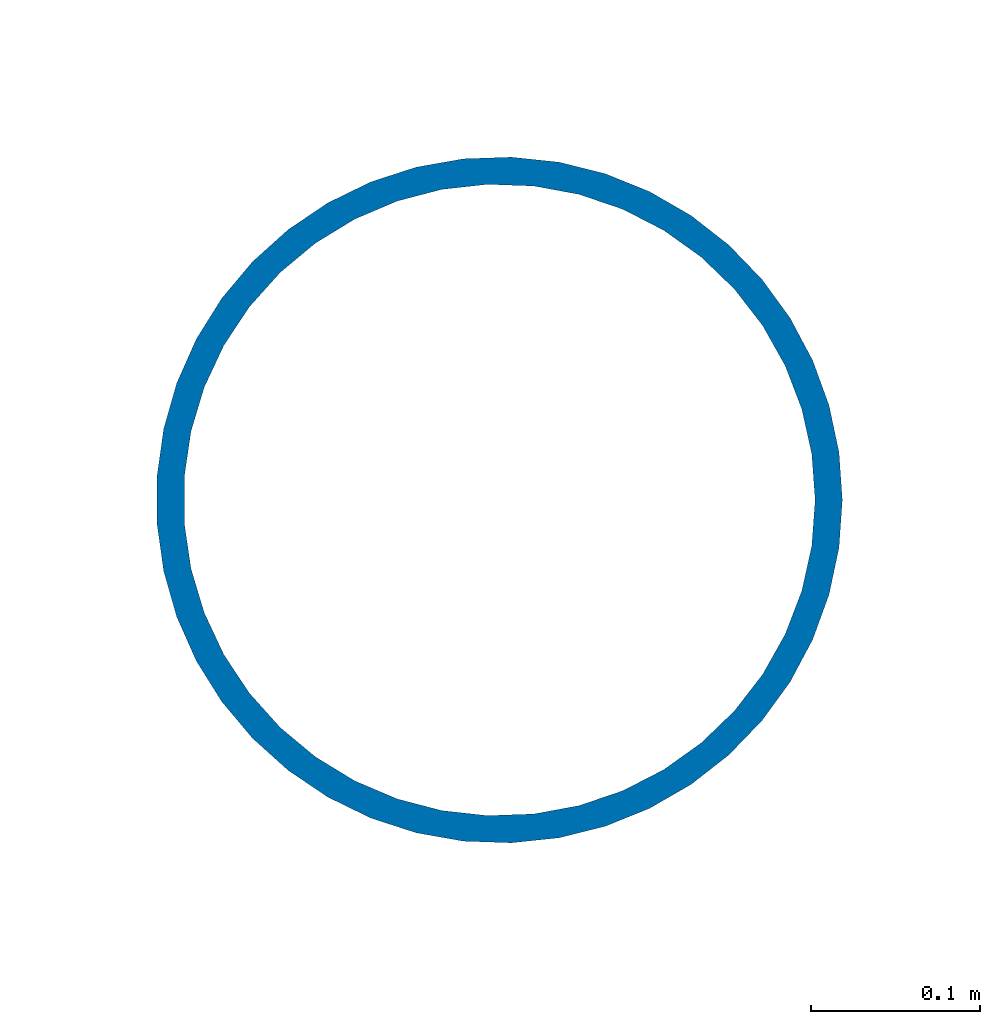
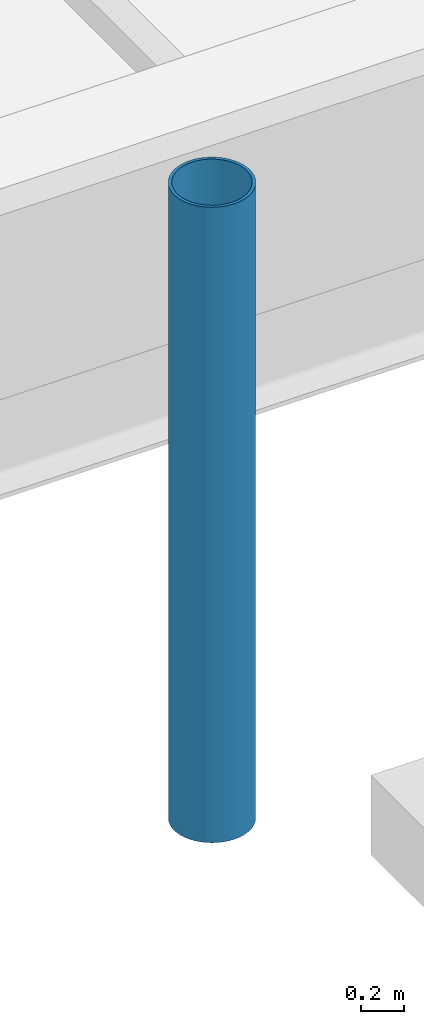
# One storey, part 15 of 110: 1 column.
"""IFC4 building model written with IfcOpenShell, lengths in metres."""

import ifcopenshell
import ifcopenshell.guid

model = None  # the IFC model being written
_history = None  # IfcOwnerHistory: only IFC2X3 demands one
_inside = {}  # id of a spatial element -> (the spatial element, [elements in it])
_under = {}  # id of a project, library or spatial element -> (it, [spatial elements below it])
_declared = {}  # id of a project -> (the project, [libraries it declares])
_typed = {}  # id of a type object -> (the type object, [elements of that type])
_made_of = {}  # id of a material, layer set ... -> (it, [elements and type objects made of it])


def new_model(schema):
    """Start an empty IFC model of exactly this schema.

    Asked for "IFC4X3", IfcOpenShell would pick the latest addendum, in which some entities
    have other attributes; the version numbers below select the first issue.
    IFC2X3 requires an IfcOwnerHistory on every rooted entity: one is made here for all.
    """
    global model, _history
    if schema == "IFC4X3":
        model = ifcopenshell.file(schema_version=(4, 3, 0, 0))
    else:
        model = ifcopenshell.file(schema=schema)
    _inside.clear()
    _under.clear()
    _declared.clear()
    _typed.clear()
    _made_of.clear()
    _history = None
    if model.schema == "IFC2X3":
        org = make("IfcOrganization", Name="unknown")
        user = make(
            "IfcPersonAndOrganization",
            ThePerson=make("IfcPerson", FamilyName="unknown"),
            TheOrganization=org,
        )
        app = make(
            "IfcApplication",
            ApplicationDeveloper=org,
            Version="unknown",
            ApplicationFullName="unknown",
            ApplicationIdentifier="unknown",
        )
        _history = make(
            "IfcOwnerHistory",
            OwningUser=user,
            OwningApplication=app,
            ChangeAction="ADDED",
            CreationDate=0,
        )
    return model


def make(cls, **values):
    """One entity of the class cls with the attributes given. An attribute that is None is left unset."""
    return model.create_entity(
        cls, **{name: value for name, value in values.items() if value is not None}
    )


def rooted(cls, **values):
    """An entity with a GlobalId (a new one), such as an element, a storey or a relation."""
    return make(cls, GlobalId=ifcopenshell.guid.new(), OwnerHistory=_history, **values)


def si_unit(unit_type, name, prefix=None):
    """IfcSIUnit, for example si_unit("LENGTHUNIT", "METRE", prefix="MILLI")."""
    return make("IfcSIUnit", UnitType=unit_type, Prefix=prefix, Name=name)


def assignment(units):
    """IfcUnitAssignment: the units of a project."""
    return None if units is None else make("IfcUnitAssignment", Units=units)


def point(xyz):
    """IfcCartesianPoint."""
    return None if xyz is None else make("IfcCartesianPoint", Coordinates=xyz)


def direction(xyz):
    """IfcDirection."""
    return None if xyz is None else make("IfcDirection", DirectionRatios=xyz)


def frame(location, z_axis=None, x_axis=None):
    """IfcAxis2Placement3D, a coordinate frame: its origin and axes. An axis left out is left unset."""
    return make(
        "IfcAxis2Placement3D",
        Location=point(location),
        Axis=direction(z_axis),
        RefDirection=direction(x_axis),
    )


def frame_2d(location, x_axis=None):
    """IfcAxis2Placement2D, a coordinate frame in the plane: its origin and x axis."""
    return make(
        "IfcAxis2Placement2D", Location=point(location), RefDirection=direction(x_axis)
    )


def origin():
    """The frame at (0, 0, 0) with its axes left unset."""
    return frame((0.0, 0.0, 0.0))


def origin_2d():
    """The frame at (0, 0) in the plane with its x axis left unset."""
    return frame_2d((0.0, 0.0))


def place(relative_to, where):
    """IfcLocalPlacement: puts the frame where relative to a parent placement (None: the world)."""
    return make(
        "IfcLocalPlacement", PlacementRelTo=relative_to, RelativePlacement=where
    )


def context(
    kind, dimensions, precision=None, world=None, true_north=None, identifier=None
):
    """IfcGeometricRepresentationContext, for example the 3D "Model" context."""
    return make(
        "IfcGeometricRepresentationContext",
        ContextIdentifier=identifier,
        ContextType=kind,
        CoordinateSpaceDimension=dimensions,
        Precision=precision,
        WorldCoordinateSystem=world,
        TrueNorth=true_north,
    )


def subcontext(parent, identifier, kind, view, scale=None):
    """IfcGeometricRepresentationSubContext, for example "Body" below "Model"."""
    return make(
        "IfcGeometricRepresentationSubContext",
        ContextIdentifier=identifier,
        ContextType=kind,
        ParentContext=parent,
        TargetScale=scale,
        TargetView=view,
    )


def project(units=None, contexts=None):
    """IfcProject with its units and contexts."""
    return rooted(
        "IfcProject",
        Name="project",
        RepresentationContexts=contexts,
        UnitsInContext=assignment(units),
    )


def spatial(cls, under=None, at=None, **own):
    """A site, building, storey or space (cls), placed at a placement, below another one or the project."""
    s = rooted(cls, ObjectPlacement=at, **own)
    if under is not None:
        _under.setdefault(under.id(), (under, []))[1].append(s)
    return s


def profile(cls, at=None, kind="AREA", **sizes):
    """A parametric profile (cls). Its sizes go by their IFC names, for example OverallWidth=200.0."""
    return make(cls, ProfileType=kind, Position=at, **sizes)


def hollow_circle(**sizes):
    """IfcCircleHollowProfileDef."""
    return profile("IfcCircleHollowProfileDef", **sizes)


def extrude(swept, where, along, depth):
    """IfcExtrudedAreaSolid: the profile swept, set in the frame where, extruded along a direction by depth."""
    return make(
        "IfcExtrudedAreaSolid",
        SweptArea=swept,
        Position=where,
        ExtrudedDirection=direction(along),
        Depth=depth,
    )


def shape(context_of_items, identifier, shape_type, items):
    """IfcShapeRepresentation: the items that make up one representation, for example the "Body"."""
    return make(
        "IfcShapeRepresentation",
        ContextOfItems=context_of_items,
        RepresentationIdentifier=identifier,
        RepresentationType=shape_type,
        Items=items,
    )


def material(Name=None, Category=None):
    """IfcMaterial."""
    return make("IfcMaterial", Name=Name, Category=Category)


def material_profile(
    of_material, cross_section, Name=None, Category=None, Priority=None
):
    """IfcMaterialProfile: a cross section and its material."""
    return make(
        "IfcMaterialProfile",
        Name=Name,
        Material=of_material,
        Profile=cross_section,
        Priority=Priority,
        Category=Category,
    )


def profile_set(profiles, Name=None, composite=None):
    """IfcMaterialProfileSet."""
    return make(
        "IfcMaterialProfileSet",
        Name=Name,
        MaterialProfiles=profiles,
        CompositeProfile=composite,
    )


def made_of(thing, what):
    """Note that an element or type object is made of a material, layer set ...; save() writes the relation."""
    if what is not None:
        _made_of.setdefault(what.id(), (what, []))[1].append(thing)
    return thing


def type_object(cls, material=None, **own):
    """A type object (cls), such as IfcWallType, which elements share."""
    return made_of(rooted(cls, **own), material)


def element(
    cls,
    number,
    at=None,
    inside=None,
    cuts=None,
    type_object=None,
    material=None,
    context=None,
    identifier="Body",
    shape_type=None,
    held_by="IfcProductDefinitionShape",
    body=None,
    shapes=None,
    **own,
):
    """One element of the class cls, such as IfcWall. Its Tag is "e" and its number.

    at: its placement. inside: the storey or other place that contains it. cuts: it is an
    opening in that element (IfcRelVoidsElement). A single representation is given by context,
    identifier, shape_type and body (its items); several are given by shapes. held_by: the class
    of the entity that holds the representations. save() writes the other relations.
    """
    e = rooted(cls, Tag="e%d" % number, ObjectPlacement=at, **own)
    if body is not None:
        shapes = [shape(context, identifier, shape_type, body)]
    if shapes is not None:
        e.Representation = make(held_by, Representations=shapes)
    if inside is not None:
        _inside.setdefault(inside.id(), (inside, []))[1].append(e)
    if cuts is not None:
        rooted(
            "IfcRelVoidsElement", RelatingBuildingElement=cuts, RelatedOpeningElement=e
        )
    if type_object is not None:
        _typed.setdefault(type_object.id(), (type_object, []))[1].append(e)
    return made_of(e, material)


def aggregate(whole, parts):
    """IfcRelAggregates: a whole, such as a stair, and the parts it consists of."""
    return rooted("IfcRelAggregates", RelatingObject=whole, RelatedObjects=parts)


def save(model, path):
    """Write the relations noted so far, then the file.

    IfcRelAggregates (storeys below a building ...), IfcRelContainedInSpatialStructure (elements
    in a storey), IfcRelDefinesByType, IfcRelAssociatesMaterial and IfcRelDeclares: one each for
    every whole, place, type object, material and project.
    """
    for whole, parts in _under.values():
        aggregate(whole, parts)
    for where, things in _inside.values():
        rooted(
            "IfcRelContainedInSpatialStructure",
            RelatedElements=things,
            RelatingStructure=where,
        )
    for kind, things in _typed.values():
        rooted("IfcRelDefinesByType", RelatedObjects=things, RelatingType=kind)
    for what, things in _made_of.values():
        rooted("IfcRelAssociatesMaterial", RelatedObjects=things, RelatingMaterial=what)
    for by, libraries in _declared.values():
        rooted("IfcRelDeclares", RelatingContext=by, RelatedDefinitions=libraries)
    model.write(path)


model = new_model("IFC4")

# Units and contexts
model_context = context("Model", 3, precision=1e-05, world=origin(), true_north=direction((0.0, 1.0)))
body_context = subcontext(model_context, "Body", "Model", "MODEL_VIEW")
ifc_project = project(units=[si_unit("LENGTHUNIT", "METRE"), si_unit("AREAUNIT", "SQUARE_METRE"), si_unit("VOLUMEUNIT", "CUBIC_METRE"), si_unit("PLANEANGLEUNIT", "RADIAN"), si_unit("MASSUNIT", "GRAM", prefix="KILO")], contexts=[model_context])

# Site, building, storey
site_placement = place(None, origin())
site = spatial("IfcSite", under=ifc_project, at=site_placement, CompositionType="ELEMENT")
building_placement = place(site_placement, origin())
building = spatial("IfcBuilding", under=site, at=building_placement, Name="Kupolbacken Congress Centre", CompositionType="ELEMENT")
storey_placement = place(building_placement, frame((0.0, 0.0, 18.0)))
storey = spatial("IfcBuildingStorey", under=building, at=storey_placement, Name="L05", CompositionType="ELEMENT", Elevation=18.0)

# Column
ifc_material = material(Name="Steel S355", Category="steel")
ifc_material_profile = material_profile(ifc_material, hollow_circle(Radius=0.203125, WallThickness=0.01611328125, at=origin_2d()), Name="CHS 406.4 x 16")
ifc_profile_set = profile_set([ifc_material_profile], Name="Steel S355")
column_type = type_object("IfcColumnType", Name="C15 roof mast CHS 406.4 x 16", PredefinedType="COLUMN", material=ifc_profile_set)
column_placement = place(storey_placement, frame((194.39990234375, 118.800048828125, 0.0), z_axis=(0.0, 0.0, 1.0), x_axis=(1.0, 0.0, 0.0)))
element("IfcColumn", 1, at=column_placement, inside=storey, type_object=column_type, Name="Roof mast M8N", PredefinedType="COLUMN", context=body_context, shape_type="SweptSolid", body=[
    extrude(hollow_circle(Radius=0.203125, WallThickness=0.01611328125, at=origin_2d()), origin(), (0.0, 0.0, 1.0), 3.60009765625),
])

save(model, "model.ifc")
